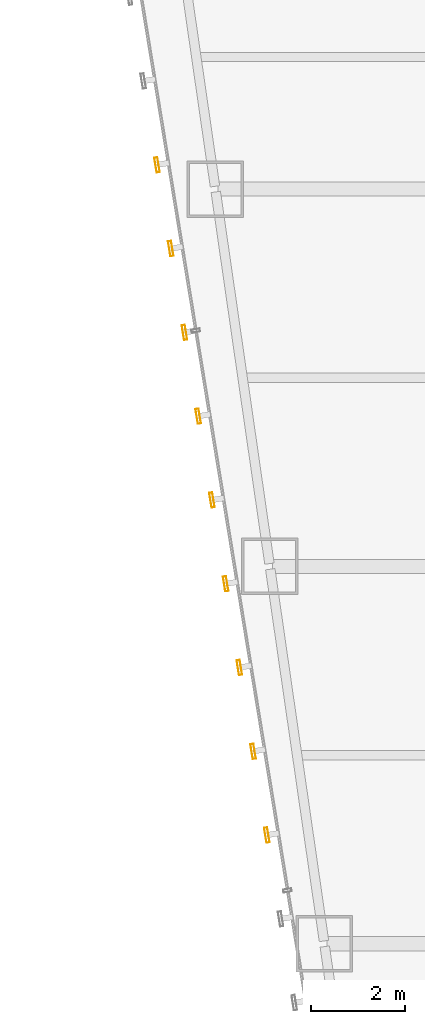
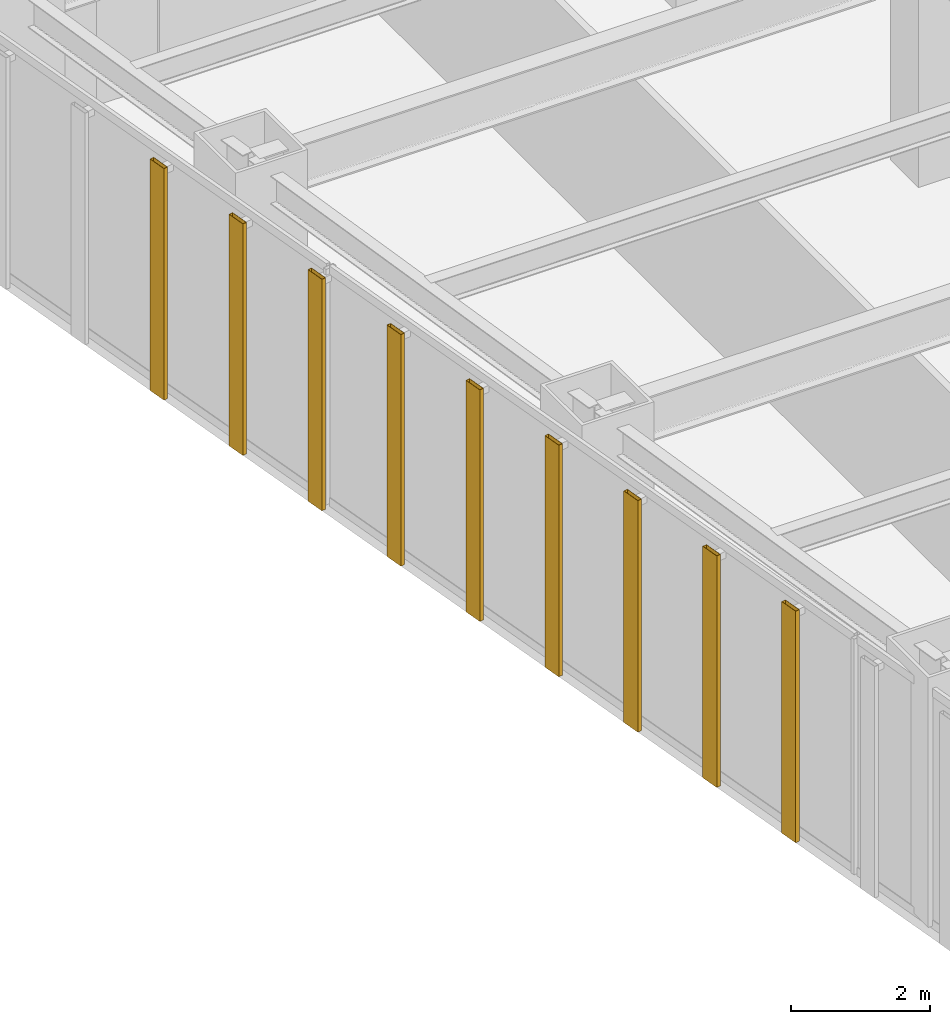
# One storey, part 43 of 47: 9 shading devices.
"""IFC4 building model written with IfcOpenShell, lengths in metres."""

from ifc_helpers import new_model, si_unit, direction, frame, origin, origin_2d, place, context, subcontext, project, spatial, hollow_rectangle, extrude, material, material_profile, profile_set, type_object, element, save


model = new_model("IFC4")

# Units and contexts
model_context = context("Model", 3, precision=1e-05, world=origin(), true_north=direction((0.0, 1.0)))
body_context = subcontext(model_context, "Body", "Model", "MODEL_VIEW")
ifc_project = project(units=[si_unit("LENGTHUNIT", "METRE"), si_unit("AREAUNIT", "SQUARE_METRE"), si_unit("VOLUMEUNIT", "CUBIC_METRE"), si_unit("PLANEANGLEUNIT", "RADIAN"), si_unit("MASSUNIT", "GRAM", prefix="KILO")], contexts=[model_context])

# Site, building, storey
site_placement = place(None, origin())
site = spatial("IfcSite", under=ifc_project, at=site_placement, CompositionType="ELEMENT")
building_placement = place(site_placement, origin())
building = spatial("IfcBuilding", under=site, at=building_placement, Name="Saevonmaru Cultural Tower", CompositionType="ELEMENT")
storey_placement = place(building_placement, frame((0.0, 0.0, 64.800048828125)))
storey = spatial("IfcBuildingStorey", under=building, at=storey_placement, Name="L13", CompositionType="ELEMENT", Elevation=64.800048828125)

# Shading devices
ifc_material = material(Name="Satin Bronze Anodised Aluminium", Category="aluminium")
ifc_material_profile = material_profile(ifc_material, hollow_rectangle(XDim=0.070068359375, YDim=0.320068359375, WallThickness=0.0048828125, at=origin_2d()), Name="FIN-320x70")
ifc_profile_set = profile_set([ifc_material_profile], Name="Satin Bronze Anodised Aluminium")
shading_device_type = type_object("IfcShadingDeviceType", Name="SHD-FIN-320", PredefinedType="JALOUSIE", material=ifc_profile_set)
for number, where, z_axis, x_axis, name in (
    (1, (7.0810546875, 32.513916015625, 0.050048828125), (0.0, 0.0, 1.0), (-0.986827496189, -0.161776057456, 0.0), "L13 Art Deco Sawtooth Bronze Fin E12-12"),
    (2, (7.3720703125, 30.737548828125, 0.050048828125), (0.0, 0.0, 1.0), (-0.986827496189, -0.161776057456, 0.0), "L13 Art Deco Sawtooth Bronze Fin E12-13"),
    (3, (7.6630859375, 28.961181640625, 0.050048828125), (0.0, 0.0, 1.0), (-0.986827496189, -0.161776057456, 0.0), "L13 Art Deco Sawtooth Bronze Fin E12-14"),
    (4, (7.9541015625, 27.184814453125, 0.050048828125), (0.0, 0.0, 1.0), (-0.986827496189, -0.161776057456, 0.0), "L13 Art Deco Sawtooth Bronze Fin E12-15"),
    (5, (8.245361328125, 25.40869140625, 0.050048828125), (0.0, 0.0, 1.0), (-0.986827496189, -0.161776057456, 0.0), "L13 Art Deco Sawtooth Bronze Fin E12-16"),
    (6, (8.536376953125, 23.63232421875, 0.050048828125), (0.0, 0.0, 1.0), (-0.986827496189, -0.161776057456, 0.0), "L13 Art Deco Sawtooth Bronze Fin E12-17"),
    (7, (8.827392578125, 21.85595703125, 0.050048828125), (0.0, 0.0, 1.0), (-0.986827496189, -0.161776057456, 0.0), "L13 Art Deco Sawtooth Bronze Fin E12-18"),
    (8, (9.118408203125, 20.07958984375, 0.050048828125), (0.0, 0.0, 1.0), (-0.986827496189, -0.161776057456, 0.0), "L13 Art Deco Sawtooth Bronze Fin E12-19"),
    (9, (9.40966796875, 18.30322265625, 0.050048828125), (0.0, 0.0, 1.0), (-0.986827496189, -0.161776057456, 0.0), "L13 Art Deco Sawtooth Bronze Fin E12-20"),
):
    element("IfcShadingDevice", number, at=place(storey_placement, frame(where, z_axis=z_axis, x_axis=x_axis)), inside=storey, type_object=shading_device_type, Name=name, PredefinedType="JALOUSIE", context=body_context, shape_type="SweptSolid", body=[
        extrude(hollow_rectangle(XDim=0.070068359375, YDim=0.320068359375, WallThickness=0.0048828125, at=origin_2d()), origin(), (0.0, 0.0, 1.0), 4.079833984375),
    ])

save(model, "model.ifc")
